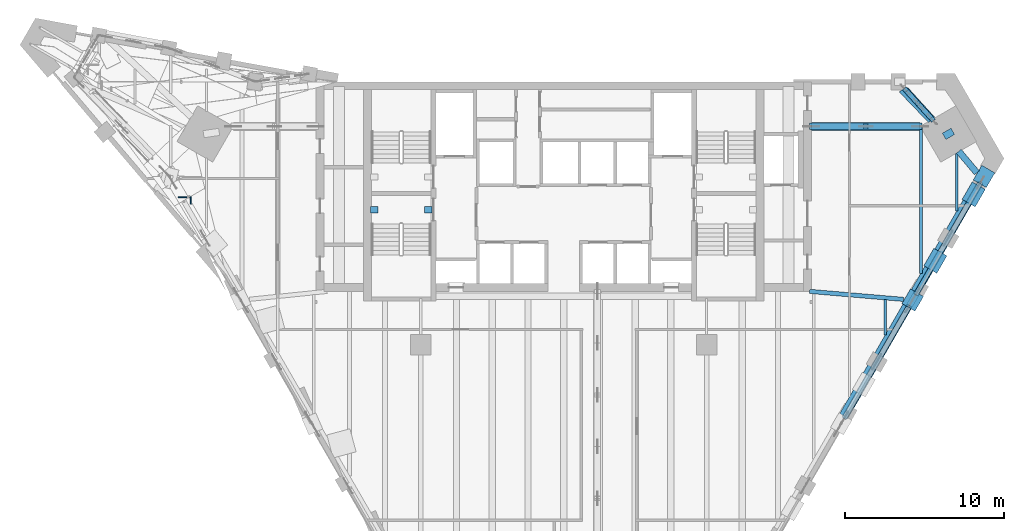
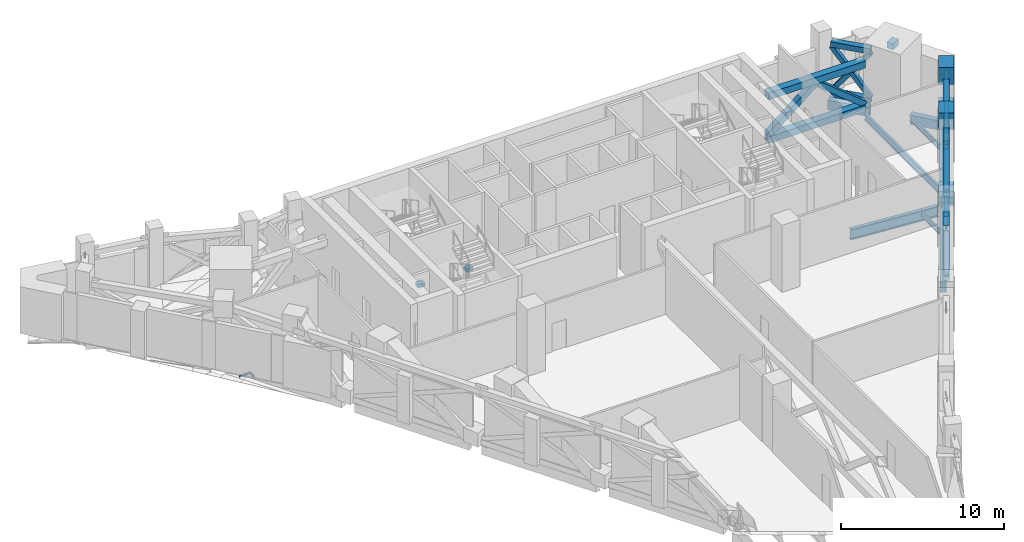
# One storey, part 5 of 22: 20 members, 15 beams, 1 element without a shape of its own.
"""IFC4 building model written with IfcOpenShell, lengths in metres."""

from ifc_helpers import new_model, si_unit, direction, frame, origin, origin_2d, place, context, subcontext, project, spatial, rectangle, hollow_rectangle, i_section, extrude, material, material_profile, profile_set, type_object, element, aggregate, save


model = new_model("IFC4")

# Units and contexts
model_context = context("Model", 3, precision=1e-05, world=origin(), true_north=direction((0.0, 1.0)))
body_context = subcontext(model_context, "Body", "Model", "MODEL_VIEW")
ifc_project = project(units=[si_unit("LENGTHUNIT", "METRE"), si_unit("AREAUNIT", "SQUARE_METRE"), si_unit("VOLUMEUNIT", "CUBIC_METRE"), si_unit("PLANEANGLEUNIT", "RADIAN"), si_unit("MASSUNIT", "GRAM", prefix="KILO")], contexts=[model_context])

# Site, building, storey
site_placement = place(None, origin())
site = spatial("IfcSite", under=ifc_project, at=site_placement, CompositionType="ELEMENT")
building_placement = place(site_placement, origin())
building = spatial("IfcBuilding", under=site, at=building_placement, Name="Calabash Gate Tower", CompositionType="ELEMENT")
storey_placement = place(building_placement, frame((0.0, 0.0, 191.39990234375)))
storey = spatial("IfcBuildingStorey", under=building, at=storey_placement, Name="L45", CompositionType="ELEMENT", Elevation=191.39990234375)

# Members
ifc_material_1 = material(Name="Steel ASTM A500 Gr C", Category="steel")
ifc_material_profile_1 = material_profile(ifc_material_1, hollow_rectangle(XDim=0.406494140625, YDim=0.406494140625, WallThickness=0.015869140625, at=origin_2d()))
ifc_profile_set_1 = profile_set([ifc_material_profile_1], Name="Steel ASTM A500 Gr C")
member_type_1 = type_object("IfcMemberType", Name="Belt truss chord HSS16X16X.625 ASTM A500 Gr C", PredefinedType="CHORD", material=ifc_profile_set_1)
member_1_placement = place(storey_placement, frame((17.69677734375, -2.10400390625, 0.203369140625), z_axis=(0.499990325971, 0.866030989016, 0.0), x_axis=(-0.866030989016, 0.499990325971, 0.0)))
element("IfcMember", 1, at=member_1_placement, inside=storey, type_object=member_type_1, Name="Belt chord L45 51", PredefinedType="CHORD", context=body_context, shape_type="SweptSolid", body=[
    extrude(hollow_rectangle(XDim=0.406494140625, YDim=0.406494140625, WallThickness=0.015869140625, at=origin_2d()), origin(), (0.0, 0.0, 1.0), 8.099853515625),
])
member_2_placement = place(storey_placement, frame((17.69677734375, -2.10400390625, 3.927001953125), z_axis=(0.499997052475, 0.866027105532, 0.0), x_axis=(-0.866027105532, 0.499997052475, 0.0)))
element("IfcMember", 2, at=member_2_placement, inside=storey, type_object=member_type_1, Name="Belt chord L45 52", PredefinedType="CHORD", context=body_context, shape_type="SweptSolid", body=[
    extrude(hollow_rectangle(XDim=0.406494140625, YDim=0.406494140625, WallThickness=0.015869140625, at=origin_2d()), origin(), (0.0, 0.0, 1.0), 9.00439453125),
])
for number, where, z_axis, x_axis, name in (
    (3, (22.19677734375, 5.690185546875, 0.203369140625), (0.499977274689, 0.866038523851, 0.0), (-0.866038523851, 0.499977274689, 0.0), "Belt chord L45 56"),
    (4, (22.19677734375, 5.690185546875, 3.927001953125), (0.499977274689, 0.866038523851, 0.0), (-0.866038523851, 0.499977274689, 0.0), "Belt chord L45 57"),
):
    element("IfcMember", number, at=place(storey_placement, frame(where, z_axis=z_axis, x_axis=x_axis)), inside=storey, type_object=member_type_1, Name=name, PredefinedType="CHORD", context=body_context, shape_type="SweptSolid", body=[
        extrude(hollow_rectangle(XDim=0.406494140625, YDim=0.406494140625, WallThickness=0.015869140625, at=origin_2d()), origin(), (0.0, 0.0, 1.0), 8.10009765625),
    ])
for number, where, z_axis, x_axis, name in (
    (5, (23.21533203125, 16.6875, 0.203369140625), (-0.671549322724, 0.740959855288, 0.0), (-0.740959855288, -0.671549322724, 0.0), "Belt chord L45 61"),
    (6, (23.21533203125, 16.6875, 3.927001953125), (-0.671549322724, 0.740959855288, 0.0), (-0.740959855288, -0.671549322724, 0.0), "Belt chord L45 62"),
):
    element("IfcMember", number, at=place(storey_placement, frame(where, z_axis=z_axis, x_axis=x_axis)), inside=storey, type_object=member_type_1, Name=name, PredefinedType="CHORD", context=body_context, shape_type="SweptSolid", body=[
        extrude(hollow_rectangle(XDim=0.406494140625, YDim=0.406494140625, WallThickness=0.015869140625, at=origin_2d()), origin(), (0.0, 0.0, 1.0), 2.52197265625),
    ])
ifc_material_2 = material(Name="Steel ASTM A500 Gr C", Category="steel")
ifc_material_profile_2 = material_profile(ifc_material_2, hollow_rectangle(XDim=0.3046875, YDim=0.3046875, WallThickness=0.0126953125, at=origin_2d()))
ifc_profile_set_2 = profile_set([ifc_material_profile_2], Name="Steel ASTM A500 Gr C")
member_type_2 = type_object("IfcMemberType", Name="Belt truss diagonal HSS12X12X.500 ASTM A500 Gr C", PredefinedType="BRACE", material=ifc_profile_set_2)
member_3_placement = place(storey_placement, frame((17.69677734375, -2.10400390625, 0.406494140625), z_axis=(0.462692463446, 0.801427529524, 0.378984959057), x_axis=(-0.866030989016, 0.499990325971, 0.0)))
element("IfcMember", 7, at=member_3_placement, inside=storey, type_object=member_type_2, Name="Belt diagonal L45 53", PredefinedType="BRACE", context=body_context, shape_type="SweptSolid", body=[
    extrude(hollow_rectangle(XDim=0.3046875, YDim=0.3046875, WallThickness=0.0126953125, at=origin_2d()), origin(), (0.0, 0.0, 1.0), 8.752685546875),
])
member_4_placement = place(storey_placement, frame((19.822265625, 1.577392578125, 1.982666015625), z_axis=(0.462679271023, 0.801441269637, -0.378972008846), x_axis=(-0.866040873467, 0.499973204766, 0.0)))
element("IfcMember", 8, at=member_4_placement, inside=storey, type_object=member_type_2, Name="Belt diagonal (split) L45 55 half 2 of 2", PredefinedType="BRACE", context=body_context, shape_type="SweptSolid", body=[
    extrude(hollow_rectangle(XDim=0.3046875, YDim=0.3046875, WallThickness=0.0126953125, at=origin_2d()), origin(), (0.0, 0.0, 1.0), 4.1591796875),
])
member_5_placement = place(storey_placement, frame((22.19677734375, 5.690185546875, 0.406494140625), z_axis=(0.462682120409, 0.801437506976, 0.37897648722), x_axis=(-0.866038523851, 0.499977274689, 0.0)))
element("IfcMember", 9, at=member_5_placement, inside=storey, type_object=member_type_2, Name="Belt diagonal L45 58", PredefinedType="BRACE", context=body_context, shape_type="SweptSolid", body=[
    extrude(hollow_rectangle(XDim=0.3046875, YDim=0.3046875, WallThickness=0.0126953125, at=origin_2d()), origin(), (0.0, 0.0, 1.0), 8.7529296875),
])
for number, where, z_axis, x_axis, name in (
    (10, (22.19677734375, 5.690185546875, 3.7236328125), (0.462679271023, 0.801441269637, -0.378972008846), (-0.866040873467, 0.499973204766, 0.0), "Belt diagonal (split) L45 59 half 1 of 2"),
    (11, (24.322265625, 9.37158203125, 1.982666015625), (0.462657504923, 0.801462264936, -0.378954180637), (-0.86605672853, 0.499945740023, 0.0), "Belt diagonal (split) L45 60 half 2 of 2"),
):
    element("IfcMember", number, at=place(storey_placement, frame(where, z_axis=z_axis, x_axis=x_axis)), inside=storey, type_object=member_type_2, Name=name, PredefinedType="BRACE", context=body_context, shape_type="SweptSolid", body=[
        extrude(hollow_rectangle(XDim=0.3046875, YDim=0.3046875, WallThickness=0.0126953125, at=origin_2d()), origin(), (0.0, 0.0, 1.0), 4.1591796875),
    ])
member_6_placement = place(storey_placement, frame((23.21533203125, 16.6875, 0.406494140625), z_axis=(-0.406436139622, 0.448444891548, 0.796057060551), x_axis=(-0.740959855288, -0.671549322724, 0.0)))
element("IfcMember", 12, at=member_6_placement, inside=storey, type_object=member_type_2, Name="Belt diagonal L45 63", PredefinedType="BRACE", context=body_context, shape_type="SweptSolid", body=[
    extrude(hollow_rectangle(XDim=0.3046875, YDim=0.3046875, WallThickness=0.0126953125, at=origin_2d()), origin(), (0.0, 0.0, 1.0), 4.1669921875),
])
for number, where, z_axis, x_axis, name in (
    (13, (23.21533203125, 16.6875, 3.7236328125), (-0.406394601902, 0.448492264252, -0.796051579014), (-0.741029300881, -0.671472691355, 0.0), "Belt diagonal (split) L45 64 half 1 of 2"),
    (14, (22.30419921875, 17.69287109375, 1.939208984375), (-0.406417711821, 0.448390960687, -0.796096847056), (-0.740934816902, -0.671576948013, 0.0), "Belt diagonal (split) L45 65 half 2 of 2"),
):
    element("IfcMember", number, at=place(storey_placement, frame(where, z_axis=z_axis, x_axis=x_axis)), inside=storey, type_object=member_type_2, Name=name, PredefinedType="BRACE", context=body_context, shape_type="SweptSolid", body=[
        extrude(hollow_rectangle(XDim=0.3046875, YDim=0.3046875, WallThickness=0.0126953125, at=origin_2d()), origin(), (0.0, 0.0, 1.0), 1.92529296875),
    ])

# Beams
ifc_material_3 = material(Name="Concrete C80/95", Category="concrete")
ifc_material_profile_3 = material_profile(ifc_material_3, rectangle(XDim=0.449951171875, YDim=0.449951171875, at=origin_2d()))
ifc_profile_set_3 = profile_set([ifc_material_profile_3], Name="Concrete C80/95")
beam_type_1 = type_object("IfcBeamType", Name="Column offset link RC 450x450 Concrete C80/95", PredefinedType="BEAM", material=ifc_profile_set_3)
beam_1_placement = place(storey_placement, frame((23.9580078125, 15.616943359375, 4.60400390625), z_axis=(0.867525964319, 0.497391899042, 0.0), x_axis=(-0.497391899042, 0.867525964319, 0.0)))
element("IfcBeam", 15, at=beam_1_placement, inside=storey, type_object=beam_type_1, Name="Column offset link L45 NE", PredefinedType="BEAM", context=body_context, shape_type="SweptSolid", body=[
    extrude(rectangle(XDim=0.449951171875, YDim=0.449951171875, at=origin_2d()), origin(), (0.0, 0.0, 1.0), 0.629150390625),
])
ifc_material_4 = material(Name="Concrete C50/60", Category="concrete")
ifc_material_profile_4 = material_profile(ifc_material_4, rectangle(XDim=0.39990234375, YDim=0.699951171875, at=origin_2d()))
ifc_profile_set_4 = profile_set([ifc_material_profile_4], Name="Concrete C50/60")
beam_type_2 = type_object("IfcBeamType", Name="Edge beam RC 400x700 Concrete C50/60", PredefinedType="BEAM", material=ifc_profile_set_4)
beam_2_placement = place(storey_placement, frame((17.52294921875, -2.00390625, -0.52001953125), z_axis=(0.499999880539, 0.866025472755, 0.0), x_axis=(-0.866025472755, 0.499999880539, 0.0)))
element("IfcBeam", 16, at=beam_2_placement, inside=storey, type_object=beam_type_2, Name="Edge beam L45 13", PredefinedType="BEAM", context=body_context, shape_type="SweptSolid", body=[
    extrude(rectangle(XDim=0.39990234375, YDim=0.699951171875, at=origin_2d()), origin(), (0.0, 0.0, 1.0), 8.10009765625),
])
beam_3_placement = place(storey_placement, frame((22.02294921875, 5.7900390625, -0.52001953125), z_axis=(0.49989548915, 0.866085734744, 0.0), x_axis=(-0.866085734744, 0.49989548915, 0.0)))
element("IfcBeam", 17, at=beam_3_placement, inside=storey, type_object=beam_type_2, Name="Edge beam L45 14", PredefinedType="BEAM", context=body_context, shape_type="SweptSolid", body=[
    extrude(rectangle(XDim=0.39990234375, YDim=0.699951171875, at=origin_2d()), origin(), (0.0, 0.0, 1.0), 8.101806640625),
])
beam_4_placement = place(storey_placement, frame((26.02001953125, 13.321044921875, -0.52001953125), z_axis=(-0.643927262106, 0.76508671477, 0.0), x_axis=(-0.76508671477, -0.643927262106, 0.0)))
element("IfcBeam", 18, at=beam_4_placement, inside=storey, type_object=beam_type_2, Name="Edge beam L45 15", PredefinedType="BEAM", context=body_context, shape_type="SweptSolid", body=[
    extrude(rectangle(XDim=0.39990234375, YDim=0.699951171875, at=origin_2d()), origin(), (0.0, 0.0, 1.0), 1.76708984375),
])
beam_5_placement = place(storey_placement, frame((23.126953125, 16.6220703125, -0.52001953125), z_axis=(-0.692518468057, 0.721400146521, 0.0), x_axis=(-0.721400146521, -0.692518468057, 0.0)))
element("IfcBeam", 19, at=beam_5_placement, inside=storey, type_object=beam_type_2, Name="Edge beam L45 16", PredefinedType="BEAM", context=body_context, shape_type="SweptSolid", body=[
    extrude(rectangle(XDim=0.39990234375, YDim=0.699951171875, at=origin_2d()), origin(), (0.0, 0.0, 1.0), 2.662841796875),
])
ifc_material_5 = material(Name="Steel ASTM A992 Gr50", Category="steel")
ifc_material_profile_5 = material_profile(ifc_material_5, i_section(OverallWidth=0.1396484375, OverallDepth=0.398681640625, WebThickness=0.00634765625, FlangeThickness=0.0087890625, FilletRadius=0.01025390625, at=origin_2d()))
ifc_profile_set_5 = profile_set([ifc_material_profile_5], Name="Steel ASTM A992 Gr50")
beam_type_3 = type_object("IfcBeamType", Name="Floor beam W16x26 ASTM A992 Gr50", PredefinedType="BEAM", material=ifc_profile_set_5)
beam_6_placement = place(storey_placement, frame((20.25, 3.10595703125, -0.368896484375), z_axis=(0.0, 1.0, 0.0), x_axis=(-1.0, 0.0, 0.0)))
element("IfcBeam", 20, at=beam_6_placement, inside=storey, type_object=beam_type_3, Name="Floor beam L45 39", PredefinedType="BEAM", context=body_context, shape_type="SweptSolid", body=[
    extrude(i_section(OverallWidth=0.1396484375, OverallDepth=0.398681640625, WebThickness=0.00634765625, FlangeThickness=0.0087890625, FilletRadius=0.01025390625, at=origin_2d()), origin(), (0.0, 0.0, 1.0), 2.22998046875),
])
beam_7_placement = place(storey_placement, frame((24.75, 10.90087890625, -0.368896484375), z_axis=(0.0, 1.0, 0.0), x_axis=(-1.0, 0.0, 0.0)))
element("IfcBeam", 21, at=beam_7_placement, inside=storey, type_object=beam_type_3, Name="Floor beam L45 41", PredefinedType="BEAM", context=body_context, shape_type="SweptSolid", body=[
    extrude(i_section(OverallWidth=0.1396484375, OverallDepth=0.398681640625, WebThickness=0.00634765625, FlangeThickness=0.0087890625, FilletRadius=0.01025390625, at=origin_2d()), origin(), (0.0, 0.0, 1.0), 3.64013671875),
])
ifc_material_6 = material(Name="Steel ASTM A992 Gr50", Category="steel")
ifc_material_profile_6 = material_profile(ifc_material_6, i_section(OverallWidth=0.166015625, OverallDepth=0.5283203125, WebThickness=0.009765625, FlangeThickness=0.013671875, FilletRadius=0.0126953125, at=origin_2d()))
ifc_profile_set_6 = profile_set([ifc_material_profile_6], Name="Steel ASTM A992 Gr50")
beam_type_4 = type_object("IfcBeamType", Name="Floor beam W21x50 ASTM A992 Gr50", PredefinedType="BEAM", material=ifc_profile_set_6)
beam_8_placement = place(storey_placement, frame((22.5, 6.98291015625, -0.433837890625), z_axis=(0.0, 1.0, 0.0), x_axis=(-1.0, 0.0, 0.0)))
element("IfcBeam", 22, at=beam_8_placement, inside=storey, type_object=beam_type_4, Name="Floor beam L45 40", PredefinedType="BEAM", context=body_context, shape_type="SweptSolid", body=[
    extrude(i_section(OverallWidth=0.166015625, OverallDepth=0.5283203125, WebThickness=0.009765625, FlangeThickness=0.013671875, FilletRadius=0.0126953125, at=origin_2d()), origin(), (0.0, 0.0, 1.0), 9.17919921875),
])
ifc_material_7 = material(Name="Steel ASTM A992 Gr50", Category="steel")
ifc_material_profile_7 = material_profile(ifc_material_7, i_section(OverallWidth=0.2666015625, OverallDepth=0.77978515625, WebThickness=0.0166015625, FlangeThickness=0.030029296875, FilletRadius=0.0166015625, at=origin_2d()))
ifc_profile_set_7 = profile_set([ifc_material_profile_7], Name="Steel ASTM A992 Gr50")
beam_type_5 = type_object("IfcBeamType", Name="Girder W30x148 ASTM A992 Gr50", PredefinedType="BEAM", material=ifc_profile_set_7)
beam_9_placement = place(storey_placement, frame((21.406005859375, 5.34912109375, -0.559814453125), z_axis=(-0.996379358259, 0.085018671104, 0.0), x_axis=(-0.085018671104, -0.996379358259, 0.0)))
element("IfcBeam", 23, at=beam_9_placement, inside=storey, type_object=beam_type_5, Name="Girder L45 3", PredefinedType="BEAM", context=body_context, shape_type="SweptSolid", body=[
    extrude(i_section(OverallWidth=0.2666015625, OverallDepth=0.77978515625, WebThickness=0.0166015625, FlangeThickness=0.030029296875, FilletRadius=0.0166015625, at=origin_2d()), origin(), (0.0, 0.0, 1.0), 5.9384765625),
])
ifc_material_8 = material(Name="Concrete C60/75", Category="concrete")
ifc_material_profile_8 = material_profile(ifc_material_8, rectangle(XDim=0.39990234375, YDim=0.25, at=origin_2d()))
ifc_profile_set_8 = profile_set([ifc_material_profile_8], Name="Concrete C60/75")
beam_type_6 = type_object("IfcBeamType", Name="Landing corbel RC 400x250 Concrete C60/75", PredefinedType="BEAM", material=ifc_profile_set_8)
for number, where, z_axis, x_axis, name in (
    (24, (-12.14990234375, 11.0029296875, 2.174072265625), (1.0, 0.0, 0.0), (0.0, 1.0, 0.0), "Landing corbel ST2-L45/L2 west"),
    (25, (-8.300048828125, 11.0029296875, 2.174072265625), (-1.0, 0.0, 0.0), (0.0, -1.0, 0.0), "Landing corbel ST2-L45/L2 east"),
):
    element("IfcBeam", number, at=place(storey_placement, frame(where, z_axis=z_axis, x_axis=x_axis)), inside=storey, type_object=beam_type_6, Name=name, PredefinedType="BEAM", context=body_context, shape_type="SweptSolid", body=[
        extrude(rectangle(XDim=0.39990234375, YDim=0.25, at=origin_2d()), origin(), (0.0, 0.0, 1.0), 0.449951171875),
    ])

# Members
ifc_material_9 = material(Name="Steel ASTM A500 Gr C", Category="steel")
ifc_material_profile_9 = material_profile(ifc_material_9, hollow_rectangle(XDim=0.508056640625, YDim=0.508056640625, WallThickness=0.01904296875, at=origin_2d()))
ifc_profile_set_9 = profile_set([ifc_material_profile_9], Name="Steel ASTM A500 Gr C")
member_type_3 = type_object("IfcMemberType", Name="Outrigger chord HSS20X20X.750 ASTM A500 Gr C", PredefinedType="CHORD", material=ifc_profile_set_9)
for number, where, z_axis, x_axis, name in (
    (26, (22.4462890625, 16.24365234375, 0.254150390625), (-1.0, 0.0, 0.0), (0.0, -1.0, 0.0), "Outrigger chord L45 NE"),
    (27, (22.4462890625, 16.24365234375, 3.526123046875), (-1.0, 0.0, 0.0), (0.0, -1.0, 0.0), "Outrigger chord L45 NE"),
):
    element("IfcMember", number, at=place(storey_placement, frame(where, z_axis=z_axis, x_axis=x_axis)), inside=storey, type_object=member_type_3, Name=name, PredefinedType="CHORD", context=body_context, shape_type="SweptSolid", body=[
        extrude(hollow_rectangle(XDim=0.508056640625, YDim=0.508056640625, WallThickness=0.01904296875, at=origin_2d()), origin(), (0.0, 0.0, 1.0), 6.84619140625),
    ])
ifc_material_10 = material(Name="Steel ASTM A500 Gr C", Category="steel")
ifc_material_profile_10 = material_profile(ifc_material_10, hollow_rectangle(XDim=0.406494140625, YDim=0.406494140625, WallThickness=0.015869140625, at=origin_2d()))
ifc_profile_set_10 = profile_set([ifc_material_profile_10], Name="Steel ASTM A500 Gr C")
member_type_4 = type_object("IfcMemberType", Name="Outrigger diagonal HSS16X16X.625 ASTM A500 Gr C", PredefinedType="BRACE", material=ifc_profile_set_10)
for number, where, z_axis, x_axis, name in (
    (28, (22.4462890625, 16.24365234375, 0.508056640625), (-0.778013156975, 0.0, 0.628247982546), (0.0, -1.0, 0.0), "Outrigger diagonal L45 NE"),
    (29, (19.023193359375, 16.24365234375, 3.272216796875), (-0.778013156975, 0.0, -0.628247982546), (0.0, -1.0, 0.0), "Outrigger diagonal L45 NE"),
):
    element("IfcMember", number, at=place(storey_placement, frame(where, z_axis=z_axis, x_axis=x_axis)), inside=storey, type_object=member_type_4, Name=name, PredefinedType="BRACE", context=body_context, shape_type="SweptSolid", body=[
        extrude(hollow_rectangle(XDim=0.406494140625, YDim=0.406494140625, WallThickness=0.015869140625, at=origin_2d()), origin(), (0.0, 0.0, 1.0), 4.39990234375),
    ])

# Curtain wall, members
ifc_material_11 = material(Name="Anodised aluminium frame, bronze finish, dark tinted laminated glass", Category="aluminium")
curtain_wall_type = type_object("IfcCurtainWallType", Name="Curtain wall CWD soffit glazing", PredefinedType="NOTDEFINED", material=ifc_material_11)
curtain_wall_placement = place(storey_placement, origin())
curtain_wall = element("IfcCurtainWall", 30, at=curtain_wall_placement, inside=storey, type_object=curtain_wall_type, Name="Curtain wall CWD soffit Z4 NW", PredefinedType="NOTDEFINED")
ifc_material_12 = material(Name="Anodised aluminium frame, bronze finish", Category="aluminium")
ifc_material_profile_11 = material_profile(ifc_material_12, rectangle(XDim=0.14990234375, YDim=0.070068359375, at=origin_2d()))
ifc_profile_set_11 = profile_set([ifc_material_profile_11], Name="Anodised aluminium frame, bronze finish")
member_type_5 = type_object("IfcMemberType", Name="Soffit raking mullion 150x70", PredefinedType="MULLION", material=ifc_profile_set_11)
member_7_placement = place(storey_placement, frame((-23.551025390625, 11.7900390625, -0.890625), z_axis=(-0.999821688033, 0.0, -0.018883647396), x_axis=(-0.018883647396, 0.0, 0.999821688033)))
member_7 = element("IfcMember", 31, at=member_7_placement, type_object=member_type_5, Name="Soffit joint mullion Z4 NW 6", PredefinedType="MULLION", context=body_context, shape_type="SweptSolid", body=[
    extrude(rectangle(XDim=0.14990234375, YDim=0.070068359375, at=origin_2d()), origin(), (0.0, 0.0, 1.0), 0.72412109375),
])
member_8_placement = place(storey_placement, frame((-23.492431640625, 11.81689453125, -0.889404296875), z_axis=(0.0, -0.999989294454, -0.00462719982), x_axis=(0.0, -0.00462719982, 0.999989294454)))
member_8 = element("IfcMember", 32, at=member_8_placement, type_object=member_type_5, Name="Soffit joint mullion Z4 NW 7", PredefinedType="MULLION", context=body_context, shape_type="SweptSolid", body=[
    extrude(rectangle(XDim=0.14990234375, YDim=0.070068359375, at=origin_2d()), origin(), (0.0, 0.0, 1.0), 0.474853515625),
])
aggregate(curtain_wall, [member_7, member_8])

# Beams
ifc_material_13 = material(Name="Concrete C60/75", Category="concrete")
ifc_material_profile_12 = material_profile(ifc_material_13, rectangle(XDim=0.949951171875, YDim=1.050048828125, at=origin_2d()))
ifc_profile_set_12 = profile_set([ifc_material_profile_12], Name="Concrete C60/75")
beam_type_7 = type_object("IfcBeamType", Name="Transfer node RC 950x1050 Concrete C60/75", PredefinedType="BEAM", material=ifc_profile_set_12)
beam_10_placement = place(storey_placement, frame((21.7099609375, 4.846923828125, 0.527099609375), z_axis=(0.501728328812, 0.865025250538, 0.0), x_axis=(-0.865025250538, 0.501728328812, 0.0)))
element("IfcBeam", 33, at=beam_10_placement, inside=storey, type_object=beam_type_7, Name="Transfer node L45 foot P12", PredefinedType="BEAM", context=body_context, shape_type="SweptSolid", body=[
    extrude(rectangle(XDim=0.949951171875, YDim=1.050048828125, at=origin_2d()), origin(), (0.0, 0.0, 1.0), 1.070556640625),
])
beam_11_placement = place(storey_placement, frame((26.2041015625, 12.631103515625, 0.527099609375), z_axis=(0.499794860427, 0.866143808782, 0.0), x_axis=(-0.866143808782, 0.499794860427, 0.0)))
element("IfcBeam", 34, at=beam_11_placement, inside=storey, type_object=beam_type_7, Name="Transfer node L45 foot P13", PredefinedType="BEAM", context=body_context, shape_type="SweptSolid", body=[
    extrude(rectangle(XDim=0.949951171875, YDim=1.050048828125, at=origin_2d()), origin(), (0.0, 0.0, 1.0), 1.0703125),
])
ifc_material_14 = material(Name="Concrete C60/75", Category="concrete")
ifc_material_profile_13 = material_profile(ifc_material_14, rectangle(XDim=0.949951171875, YDim=1.25, at=origin_2d()))
ifc_profile_set_13 = profile_set([ifc_material_profile_13], Name="Concrete C60/75")
beam_type_8 = type_object("IfcBeamType", Name="Transfer node RC 950x1250 Concrete C60/75", PredefinedType="BEAM", material=ifc_profile_set_13)
beam_12_placement = place(storey_placement, frame((23.0859375, 7.22998046875, 4.377197265625), z_axis=(0.499922110319, 0.866070368743, 0.0), x_axis=(-0.866070368743, 0.499922110319, 0.0)))
element("IfcBeam", 35, at=beam_12_placement, inside=storey, type_object=beam_type_8, Name="Transfer node L45 head P12", PredefinedType="BEAM", context=body_context, shape_type="SweptSolid", body=[
    extrude(rectangle(XDim=0.949951171875, YDim=1.25, at=origin_2d()), origin(), (0.0, 0.0, 1.0), 1.270263671875),
])
beam_13_placement = place(storey_placement, frame((25.5009765625, 11.4130859375, 4.377197265625), z_axis=(0.500005339912, 0.866022320763, 0.0), x_axis=(-0.866022320763, 0.500005339912, 0.0)))
element("IfcBeam", 36, at=beam_13_placement, inside=storey, type_object=beam_type_8, Name="Transfer node L45 head P13", PredefinedType="BEAM", context=body_context, shape_type="SweptSolid", body=[
    extrude(rectangle(XDim=0.949951171875, YDim=1.25, at=origin_2d()), origin(), (0.0, 0.0, 1.0), 1.27001953125),
])

save(model, "model.ifc")
